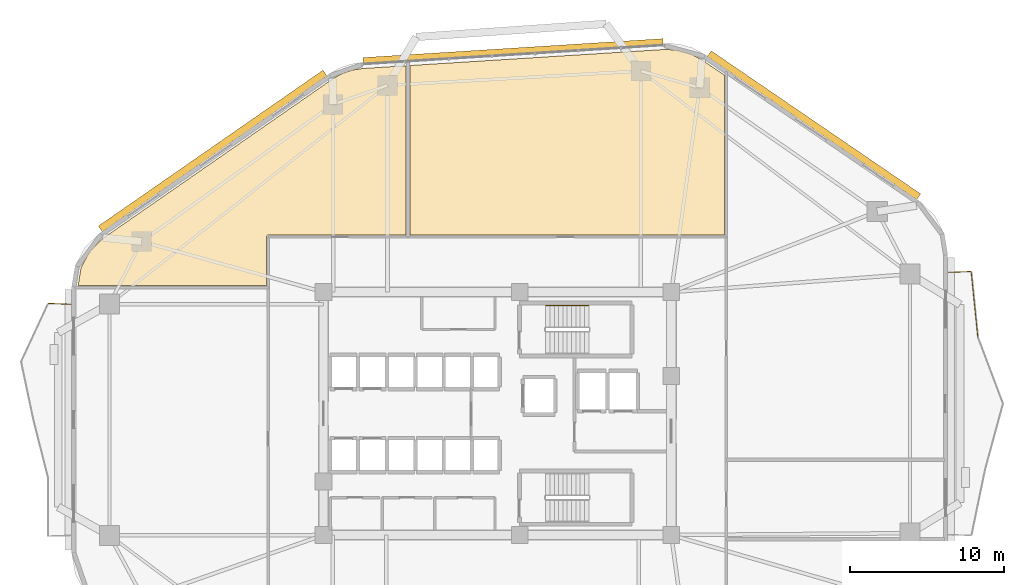
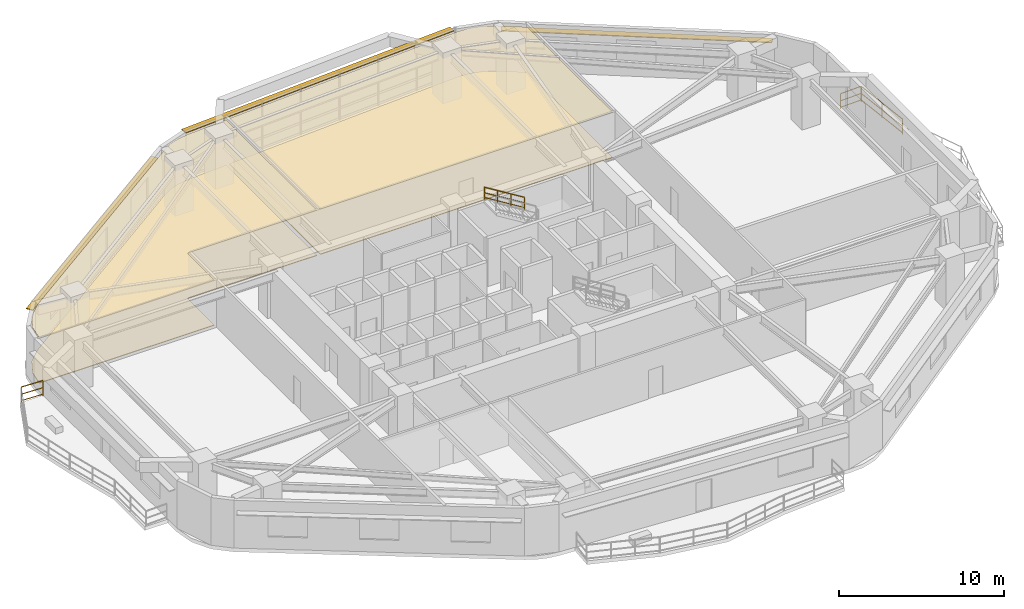
# One storey, part 11 of 11: 4 coverings, 4 railings, 3 shading devices.
"""IFC4 building model written with IfcOpenShell, lengths in metres."""

from ifc_helpers import new_model, si_unit, direction, frame, origin, origin_2d, place, context, subcontext, project, spatial, polyline, rectangle, outline, extrude, material, layer, layer_set, type_object, element, save


model = new_model("IFC4")

# Units and contexts
model_context = context("Model", 3, precision=1e-05, world=origin(), true_north=direction((0.0, 1.0)))
body_context = subcontext(model_context, "Body", "Model", "MODEL_VIEW")
ifc_project = project(units=[si_unit("LENGTHUNIT", "METRE"), si_unit("AREAUNIT", "SQUARE_METRE"), si_unit("VOLUMEUNIT", "CUBIC_METRE"), si_unit("PLANEANGLEUNIT", "RADIAN"), si_unit("MASSUNIT", "GRAM", prefix="KILO")], contexts=[model_context])

# Site, building, storey
site_placement = place(None, origin())
site = spatial("IfcSite", under=ifc_project, at=site_placement, CompositionType="ELEMENT")
building_placement = place(site_placement, origin())
building = spatial("IfcBuilding", under=site, at=building_placement, Name="Zulverin Broadcast Headquarters", CompositionType="ELEMENT")
storey_placement = place(building_placement, frame((0.0, 0.0, 78.199951171875)))
storey = spatial("IfcBuildingStorey", under=building, at=storey_placement, Name="L19", CompositionType="ELEMENT", Elevation=78.199951171875)

# Coverings
ifc_material_1 = material(Name="Perforated pale-metal acoustic baffle ceiling", Category="aluminium")
ifc_layer_1 = layer(ifc_material_1, 0.0400390625, Name="Perforated pale-metal acoustic baffle ceiling", Category="aluminium")
ifc_layer_set_1 = layer_set([ifc_layer_1], Name="Perforated pale-metal acoustic baffle ceiling")
covering_type_1 = type_object("IfcCoveringType", Name="COV-CEIL-ACOU", PredefinedType="CEILING", material=ifc_layer_set_1)
covering_1_placement = place(storey_placement, frame((0.0, 0.0, 3.344970703125)))
element("IfcCovering", 1, at=covering_1_placement, inside=storey, type_object=covering_type_1, Name="L19 Acoustic Baffle Ceiling 01", PredefinedType="CEILING", context=body_context, shape_type="SweptSolid", body=[
    extrude(outline(polyline([(11.4599609375, 36.583984375), (10.56005859375, 35.719970703125), (10.0, 34.639892578125), (9.81591796875, 33.5), (22.031982421875, 33.5), (22.031982421875, 36.652099609375), (22.031982421875, 36.6640625), (22.035888671875, 36.676025390625), (22.035888671875, 36.68798828125), (22.0400390625, 36.696044921875), (22.048095703125, 36.7080078125), (22.052001953125, 36.719970703125), (22.06005859375, 36.72802734375), (22.068115234375, 36.736083984375), (22.075927734375, 36.743896484375), (22.083984375, 36.751953125), (22.095947265625, 36.756103515625), (22.10791015625, 36.763916015625), (22.115966796875, 36.76806640625), (22.1279296875, 36.76806640625), (22.139892578125, 36.77197265625), (22.152099609375, 36.77197265625), (31.080078125, 36.77197265625), (31.080078125, 47.751953125), (28.27587890625, 47.575927734375), (27.575927734375, 47.468017578125), (26.927978515625, 47.243896484375), (26.31591796875, 46.89599609375), (11.4599609375, 36.583984375)])), origin(), (0.0, 0.0, 1.0), 0.0400390625),
])
covering_2_placement = place(storey_placement, frame((0.0, 0.0, 3.344970703125)))
element("IfcCovering", 2, at=covering_2_placement, inside=storey, type_object=covering_type_1, Name="L19 Acoustic Baffle Ceiling 02", PredefinedType="CEILING", context=body_context, shape_type="SweptSolid", body=[
    extrude(outline(polyline([(51.73193359375, 36.77197265625), (51.73193359375, 47.132080078125), (50.248046875, 48.139892578125), (49.491943359375, 48.548095703125), (48.68408203125, 48.76806640625), (47.823974609375, 48.80810546875), (31.320068359375, 47.76806640625), (31.320068359375, 36.77197265625), (51.73193359375, 36.77197265625)])), origin(), (0.0, 0.0, 1.0), 0.0400390625),
])
ifc_material_2 = material(Name="Anti-static broadcast raised access flooring", Category="stone")
ifc_layer_2 = layer(ifc_material_2, 0.050048828125, Name="Anti-static broadcast raised access flooring", Category="stone")
ifc_layer_set_2 = layer_set([ifc_layer_2], Name="Anti-static broadcast raised access flooring")
covering_type_2 = type_object("IfcCoveringType", Name="COV-FLR-RAISED", PredefinedType="FLOORING", material=ifc_layer_set_2)
covering_3_placement = place(storey_placement, origin())
element("IfcCovering", 3, at=covering_3_placement, inside=storey, type_object=covering_type_2, Name="L19 Broadcast Raised Access Flooring 01", PredefinedType="FLOORING", context=body_context, shape_type="SweptSolid", body=[
    extrude(outline(polyline([(11.4599609375, 36.583984375), (10.56005859375, 35.719970703125), (10.0, 34.639892578125), (9.81591796875, 33.5), (22.031982421875, 33.5), (22.031982421875, 36.652099609375), (22.031982421875, 36.6640625), (22.035888671875, 36.676025390625), (22.035888671875, 36.68798828125), (22.0400390625, 36.696044921875), (22.048095703125, 36.7080078125), (22.052001953125, 36.719970703125), (22.06005859375, 36.72802734375), (22.068115234375, 36.736083984375), (22.075927734375, 36.743896484375), (22.083984375, 36.751953125), (22.095947265625, 36.756103515625), (22.10791015625, 36.763916015625), (22.115966796875, 36.76806640625), (22.1279296875, 36.76806640625), (22.139892578125, 36.77197265625), (22.152099609375, 36.77197265625), (31.080078125, 36.77197265625), (31.080078125, 47.751953125), (28.27587890625, 47.575927734375), (27.575927734375, 47.468017578125), (26.927978515625, 47.243896484375), (26.31591796875, 46.89599609375), (11.4599609375, 36.583984375)])), origin(), (0.0, 0.0, 1.0), 0.050048828125),
])
covering_4_placement = place(storey_placement, origin())
element("IfcCovering", 4, at=covering_4_placement, inside=storey, type_object=covering_type_2, Name="L19 Broadcast Raised Access Flooring 02", PredefinedType="FLOORING", context=body_context, shape_type="SweptSolid", body=[
    extrude(outline(polyline([(51.73193359375, 36.77197265625), (51.73193359375, 47.132080078125), (50.248046875, 48.139892578125), (49.491943359375, 48.548095703125), (48.68408203125, 48.76806640625), (47.823974609375, 48.80810546875), (31.320068359375, 47.76806640625), (31.320068359375, 36.77197265625), (51.73193359375, 36.77197265625)])), origin(), (0.0, 0.0, 1.0), 0.050048828125),
])

# Railings
ifc_material_3 = material(Name="Brushed stainless steel & laminated glass balustrade", Category="steel")
railing_type_1 = type_object("IfcRailingType", Name="RL-GUARD-1150", PredefinedType="GUARDRAIL", material=ifc_material_3)
railing_1_placement = place(storey_placement, frame((68.15283203125, 30.146484375, 0.0)))
element("IfcRailing", 5, at=railing_1_placement, inside=storey, type_object=railing_type_1, Name="L19 Vertical-Forest Balcony Guardrail BAL_E Segment 05", PredefinedType="GUARDRAIL", context=body_context, shape_type="SweptSolid", body=[
    extrude(rectangle(XDim=0.048095703125, YDim=0.048095703125, at=origin_2d()), frame((0.0, 0.0, 1.1259765625), z_axis=(-0.100911553474, 0.994895400721, 0.0), x_axis=(-0.994895400721, -0.100911553474, 0.0)), (0.0, 0.0, 1.0), 4.27490234375),
    extrude(rectangle(XDim=0.0419921875, YDim=0.0419921875, at=origin_2d()), frame((0.0, 0.0, 0.597900390625), z_axis=(-0.100911553474, 0.994895400721, 0.0), x_axis=(-0.994895400721, -0.100911553474, 0.0)), (0.0, 0.0, 1.0), 4.27490234375),
    extrude(rectangle(XDim=0.0419921875, YDim=0.0419921875, at=origin_2d()), frame((0.0, 0.0, 0.1201171875), z_axis=(-0.100911553474, 0.994895400721, 0.0), x_axis=(-0.994895400721, -0.100911553474, 0.0)), (0.0, 0.0, 1.0), 4.27490234375),
    extrude(rectangle(XDim=0.0419921875, YDim=0.0419921875, at=origin_2d()), origin(), (0.0, 0.0, 1.0), 1.101806640625),
    extrude(rectangle(XDim=0.0419921875, YDim=0.0419921875, at=origin_2d()), frame((-0.2158203125, 2.12646484375, 0.0)), (0.0, 0.0, 1.0), 1.101806640625),
    extrude(rectangle(XDim=0.0419921875, YDim=0.0419921875, at=origin_2d()), frame((-0.431396484375, 4.253173828125, 0.0)), (0.0, 0.0, 1.0), 1.101806640625),
])
railing_2_placement = place(storey_placement, frame((67.705078125, 34.413818359375, 0.0)))
element("IfcRailing", 6, at=railing_2_placement, inside=storey, type_object=railing_type_1, Name="L19 Vertical-Forest Balcony Guardrail BAL_E Segment 06", PredefinedType="GUARDRAIL", context=body_context, shape_type="SweptSolid", body=[
    extrude(rectangle(XDim=0.048095703125, YDim=0.048095703125, at=origin_2d()), frame((0.0, 0.0, 1.1259765625), z_axis=(-0.999181155166, -0.040460093435, 0.0), x_axis=(0.040460093435, -0.999181155166, 0.0)), (0.0, 0.0, 1.0), 1.46630859375),
    extrude(rectangle(XDim=0.0419921875, YDim=0.0419921875, at=origin_2d()), frame((0.0, 0.0, 0.597900390625), z_axis=(-0.999181155166, -0.040460093435, 0.0), x_axis=(0.040460093435, -0.999181155166, 0.0)), (0.0, 0.0, 1.0), 1.46630859375),
    extrude(rectangle(XDim=0.0419921875, YDim=0.0419921875, at=origin_2d()), frame((0.0, 0.0, 0.1201171875), z_axis=(-0.999181155166, -0.040460093435, 0.0), x_axis=(0.040460093435, -0.999181155166, 0.0)), (0.0, 0.0, 1.0), 1.46630859375),
    extrude(rectangle(XDim=0.0419921875, YDim=0.0419921875, at=origin_2d()), origin(), (0.0, 0.0, 1.0), 1.101806640625),
    extrude(rectangle(XDim=0.0419921875, YDim=0.0419921875, at=origin_2d()), frame((-1.465087890625, -0.059326171875, 0.0)), (0.0, 0.0, 1.0), 1.101806640625),
])
railing_3_placement = place(storey_placement, frame((9.360107421875, 32.284423828125, 0.0)))
element("IfcRailing", 7, at=railing_3_placement, inside=storey, type_object=railing_type_1, Name="L19 Vertical-Forest Balcony Guardrail BAL_W Segment 01", PredefinedType="GUARDRAIL", context=body_context, shape_type="SweptSolid", body=[
    extrude(rectangle(XDim=0.048095703125, YDim=0.048095703125, at=origin_2d()), frame((0.0, 0.0, 1.1259765625), z_axis=(-0.999181155166, 0.040460093435, 0.0), x_axis=(-0.040460093435, -0.999181155166, 0.0)), (0.0, 0.0, 1.0), 1.46630859375),
    extrude(rectangle(XDim=0.0419921875, YDim=0.0419921875, at=origin_2d()), frame((0.0, 0.0, 0.597900390625), z_axis=(-0.999181155166, 0.040460093435, 0.0), x_axis=(-0.040460093435, -0.999181155166, 0.0)), (0.0, 0.0, 1.0), 1.46630859375),
    extrude(rectangle(XDim=0.0419921875, YDim=0.0419921875, at=origin_2d()), frame((0.0, 0.0, 0.1201171875), z_axis=(-0.999181155166, 0.040460093435, 0.0), x_axis=(-0.040460093435, -0.999181155166, 0.0)), (0.0, 0.0, 1.0), 1.46630859375),
    extrude(rectangle(XDim=0.0419921875, YDim=0.0419921875, at=origin_2d()), origin(), (0.0, 0.0, 1.0), 1.101806640625),
    extrude(rectangle(XDim=0.0419921875, YDim=0.0419921875, at=origin_2d()), frame((-1.465087890625, 0.059326171875, 0.0)), (0.0, 0.0, 1.0), 1.101806640625),
])
ifc_material_4 = material(Name="Brushed stainless steel 48 mm handrail", Category="steel")
railing_type_2 = type_object("IfcRailingType", Name="RL-ST-HAND", PredefinedType="HANDRAIL", material=ifc_material_4)
railing_4_placement = place(storey_placement, frame((42.929931640625, 32.199951171875, 2.07275390625)))
element("IfcRailing", 8, at=railing_4_placement, inside=storey, type_object=railing_type_2, Name="L19 ST-1 stair handrail 2", PredefinedType="HANDRAIL", context=body_context, shape_type="SweptSolid", body=[
    extrude(rectangle(XDim=0.048095703125, YDim=0.048095703125, at=origin_2d()), frame((0.0, 0.0, 0.8759765625), z_axis=(-0.851089632645, 0.0, 0.525020415988), x_axis=(0.0, -1.0, 0.0)), (0.0, 0.0, 1.0), 3.2900390625),
    extrude(rectangle(XDim=0.0419921875, YDim=0.0419921875, at=origin_2d()), frame((0.0, 0.0, 0.468017578125), z_axis=(-0.851089632645, 0.0, 0.525020415988), x_axis=(0.0, -1.0, 0.0)), (0.0, 0.0, 1.0), 3.2900390625),
    extrude(rectangle(XDim=0.0419921875, YDim=0.0419921875, at=origin_2d()), frame((0.0, 0.0, 0.1201171875), z_axis=(-0.851089632645, 0.0, 0.525020415988), x_axis=(0.0, -1.0, 0.0)), (0.0, 0.0, 1.0), 3.2900390625),
    extrude(rectangle(XDim=0.0419921875, YDim=0.0419921875, at=origin_2d()), origin(), (0.0, 0.0, 1.0), 0.851806640625),
    extrude(rectangle(XDim=0.0419921875, YDim=0.0419921875, at=origin_2d()), frame((-0.933349609375, 0.0, 0.57568359375)), (0.0, 0.0, 1.0), 0.851806640625),
    extrude(rectangle(XDim=0.0419921875, YDim=0.0419921875, at=origin_2d()), frame((-1.86669921875, 0.0, 1.151611328125)), (0.0, 0.0, 1.0), 0.851806640625),
    extrude(rectangle(XDim=0.0419921875, YDim=0.0419921875, at=origin_2d()), frame((-2.800048828125, 0.0, 1.727294921875)), (0.0, 0.0, 1.0), 0.851806640625),
])

# Shading devices
ifc_material_5 = material(Name="Anodized pale-metal aluminium sunshade", Category="aluminium")
ifc_layer_3 = layer(ifc_material_5, 0.06005859375, Name="Anodized pale-metal aluminium sunshade", Category="aluminium")
ifc_layer_set_3 = layer_set([ifc_layer_3], Name="Anodized pale-metal aluminium sunshade")
shading_device_type = type_object("IfcShadingDeviceType", Name="SS-01_PALE_METAL_ALUMINIUM_SUNSHADE", PredefinedType="USERDEFINED", material=ifc_layer_set_3)
shading_device_1_placement = place(storey_placement, frame((57.525390625, 43.8994140625, 2.7099609375), z_axis=(0.0, 0.0, 1.0), x_axis=(-0.825756855157, 0.564026254851, 0.0)))
element("IfcShadingDevice", 9, at=shading_device_1_placement, inside=storey, type_object=shading_device_type, Name="L19 Horizontal Pale-Metal Sunshade Band 4", ObjectType="SUNSHADE", PredefinedType="USERDEFINED", context=body_context, shape_type="SweptSolid", body=[
    extrude(rectangle(XDim=16.4482421875, YDim=0.449951171875, at=origin_2d()), origin(), (0.0, 0.0, 1.0), 0.06005859375),
])
shading_device_2_placement = place(storey_placement, frame((38.022705078125, 48.671142578125, 3.294921875), z_axis=(0.0, 0.0, 1.0), x_axis=(-0.998017621976, -0.062935095345, 0.0)))
element("IfcShadingDevice", 10, at=shading_device_2_placement, inside=storey, type_object=shading_device_type, Name="L19 Pale-Metal Horizontal Sunshade Band CW-L19-E5", ObjectType="SUNSHADE", PredefinedType="USERDEFINED", context=body_context, shape_type="SweptSolid", body=[
    extrude(rectangle(XDim=19.489501953125, YDim=0.449951171875, at=origin_2d()), origin(), (0.0, 0.0, 1.0), 0.06005859375),
])
shading_device_3_placement = place(storey_placement, frame((18.539794921875, 42.22802734375, 2.7099609375), z_axis=(0.0, 0.0, 1.0), x_axis=(-0.821556397865, -0.57012725345, 0.0)))
element("IfcShadingDevice", 11, at=shading_device_3_placement, inside=storey, type_object=shading_device_type, Name="L19 Horizontal Pale-Metal Sunshade Band 6", ObjectType="SUNSHADE", PredefinedType="USERDEFINED", context=body_context, shape_type="SweptSolid", body=[
    extrude(rectangle(XDim=17.732421875, YDim=0.449951171875, at=origin_2d()), origin(), (0.0, 0.0, 1.0), 0.06005859375),
])

save(model, "model.ifc")
